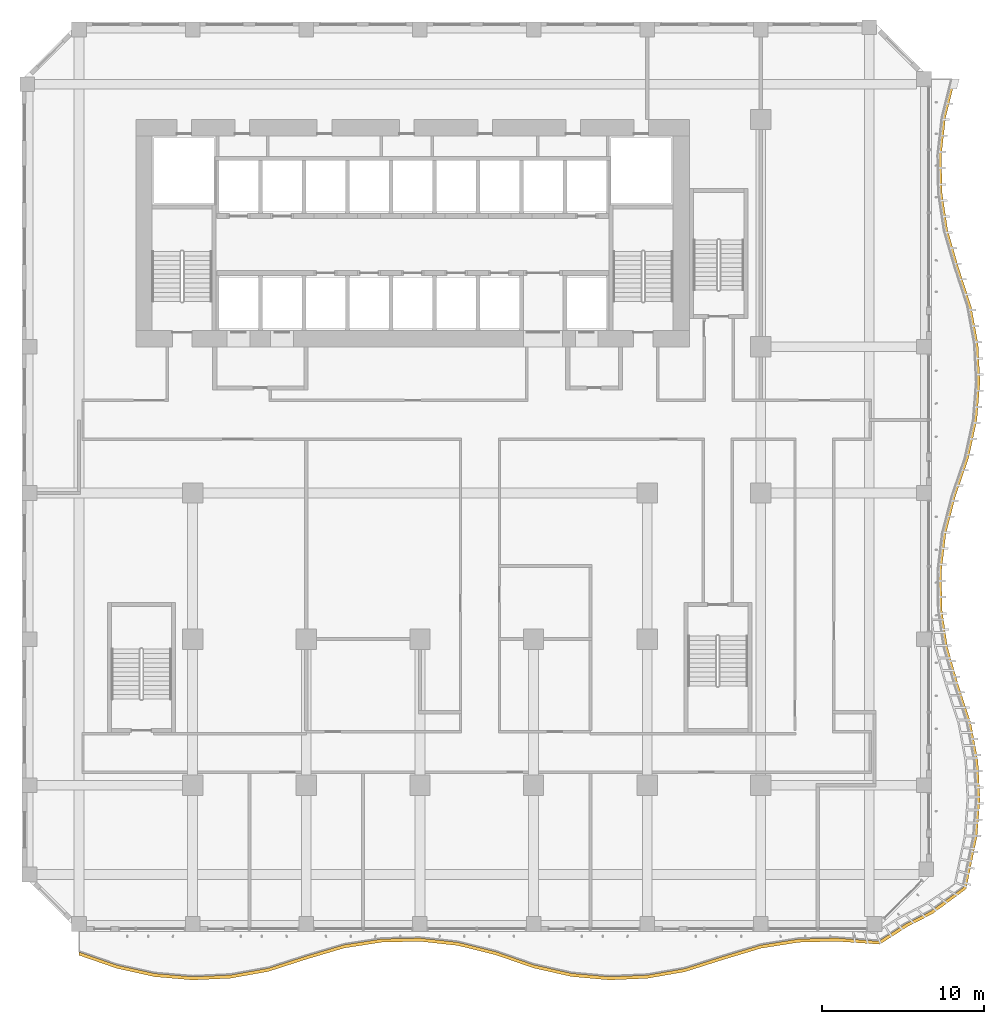
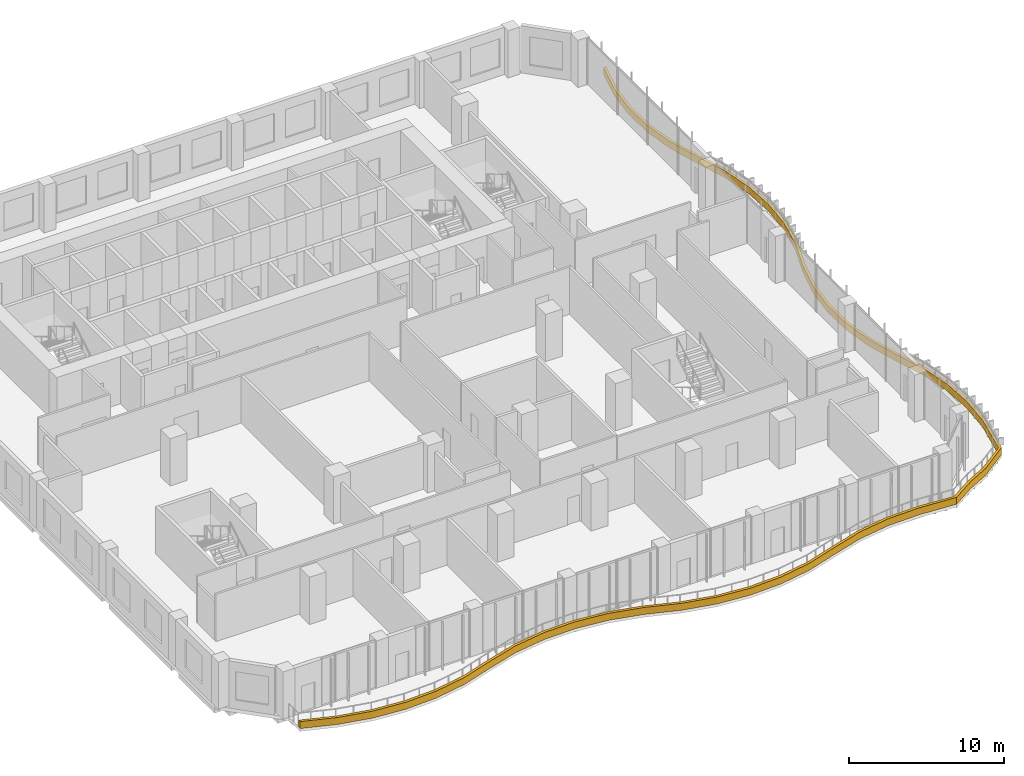
# One storey, part 22 of 28: 1 shading device.
"""IFC4 building model written with IfcOpenShell, lengths in metres."""

from ifc_helpers import new_model, si_unit, direction, frame, origin, place, context, subcontext, project, spatial, polyline, outline, extrude, source, transform, mapped, material, layer, layer_set, type_object, element, save


model = new_model("IFC4")

# Units and contexts
model_context = context("Model", 3, precision=1e-05, world=origin(), true_north=direction((0.0, 1.0)))
body_context = subcontext(model_context, "Body", "Model", "MODEL_VIEW")
ifc_project = project(units=[si_unit("LENGTHUNIT", "METRE"), si_unit("AREAUNIT", "SQUARE_METRE"), si_unit("VOLUMEUNIT", "CUBIC_METRE"), si_unit("PLANEANGLEUNIT", "RADIAN"), si_unit("MASSUNIT", "GRAM", prefix="KILO")], contexts=[model_context])

# Site, building, storey
site_placement = place(None, origin())
site = spatial("IfcSite", under=ifc_project, at=site_placement, CompositionType="ELEMENT")
building_placement = place(site_placement, origin())
building = spatial("IfcBuilding", under=site, at=building_placement, Name="Kilnfold Tower and Market Hall", CompositionType="ELEMENT")
storey_placement = place(building_placement, frame((0.0, 0.0, 75.199951171875)))
storey = spatial("IfcBuildingStorey", under=building, at=storey_placement, Name="L17", CompositionType="ELEMENT", Elevation=75.199951171875)

# Shading device
ifc_material = material(Name="Precast concrete C50/60", Category="concrete")
ifc_layer = layer(ifc_material, 0.550048828125)
ifc_layer_set = layer_set([ifc_layer], Name="Precast concrete C50/60")
shading_device_type = type_object("IfcShadingDeviceType", Name="BALCONY UPSTAND 550", PredefinedType="USERDEFINED", material=ifc_layer_set)
shared_shape = source(origin(), body_context, "Body", "SweptSolid", [
    extrude(outline(polyline([(-19.5, -29.473388671875), (-17.166748046875, -30.279541015625), (-14.833251953125, -30.796630859375), (-12.5, -30.99658203125), (-10.166748046875, -30.889892578125), (-7.833251953125, -30.47119140625), (-5.5, -29.719482421875), (-3.166748046875, -29.02880859375), (-0.833251953125, -28.66796875), (1.5, -28.616943359375), (3.833251953125, -28.873291015625), (6.166748046875, -29.450439453125), (8.5, -30.258544921875), (10.833251953125, -30.78564453125), (13.166748046875, -30.9951171875), (15.5, -30.897705078125), (17.833251953125, -30.488525390625), (20.166748046875, -29.74609375), (22.5, -29.044677734375), (24.833251953125, -28.67431640625), (27.166748046875, -28.614013671875), (29.829345703125, -28.79541015625), (31.534423828125, -27.701171875), (33.08056640625, -26.9140625), (35.143798828125, -25.387939453125), (35.817626953125, -22.166748046875), (35.998779296875, -19.833251953125), (35.87353515625, -17.5), (35.435302734375, -15.166748046875), (34.66748046875, -12.833251953125), (33.997802734375, -10.5), (33.656005859375, -8.166748046875), (33.623779296875, -5.833251953125), (33.898681640625, -3.5), (34.49658203125, -1.166748046875), (35.300048828125, 1.166748046875), (35.807373046875, 3.5), (35.997802734375, 5.833251953125), (35.8818359375, 8.166748046875), (35.453369140625, 10.5), (34.693359375, 12.833251953125), (34.01318359375, 15.166748046875), (33.661865234375, 17.5), (33.6201171875, 19.833251953125), (33.885986328125, 22.166748046875), (34.473388671875, 24.5), (34.2734375, 24.5), (33.685791015625, 22.166748046875), (33.420166015625, 19.833251953125), (33.4619140625, 17.5), (33.81298828125, 15.166748046875), (34.493408203125, 12.833251953125), (35.25341796875, 10.5), (35.681884765625, 8.166748046875), (35.7978515625, 5.833251953125), (35.607421875, 3.5), (35.10009765625, 1.166748046875), (34.29638671875, -1.166748046875), (33.69873046875, -3.5), (33.423583984375, -5.833251953125), (33.4560546875, -8.166748046875), (33.7978515625, -10.5), (34.467529296875, -12.833251953125), (35.235107421875, -15.166748046875), (35.673583984375, -17.5), (35.798583984375, -19.833251953125), (35.61767578125, -22.166748046875), (34.958984375, -25.3115234375), (32.939208984375, -26.772705078125), (31.39306640625, -27.559814453125), (29.7529296875, -28.610595703125), (27.166748046875, -28.4140625), (24.833251953125, -28.47412109375), (22.5, -28.8447265625), (20.166748046875, -29.546142578125), (17.833251953125, -30.28857421875), (15.5, -30.697509765625), (13.166748046875, -30.794921875), (10.833251953125, -30.585693359375), (8.5, -30.05859375), (6.166748046875, -29.25048828125), (3.833251953125, -28.673095703125), (1.5, -28.4169921875), (-0.833251953125, -28.468017578125), (-3.166748046875, -28.828857421875), (-5.5, -29.51953125), (-7.833251953125, -30.27099609375), (-10.166748046875, -30.68994140625), (-12.5, -30.79638671875), (-14.833251953125, -30.5966796875), (-17.166748046875, -30.07958984375), (-19.5, -29.2734375), (-19.5, -29.473388671875)])), origin(), (0.0, 0.0, 1.0), 0.550048828125),
])
shading_device_placement = place(storey_placement, origin())
element("IfcShadingDevice", 1, at=shading_device_placement, inside=storey, type_object=shading_device_type, Name="Balcony fascia L17", ObjectType="FASCIA", PredefinedType="USERDEFINED", context=body_context, shape_type="MappedRepresentation", body=[
    mapped(shared_shape, transform((0.0, 0.0, 0.0))),
])

save(model, "model.ifc")
